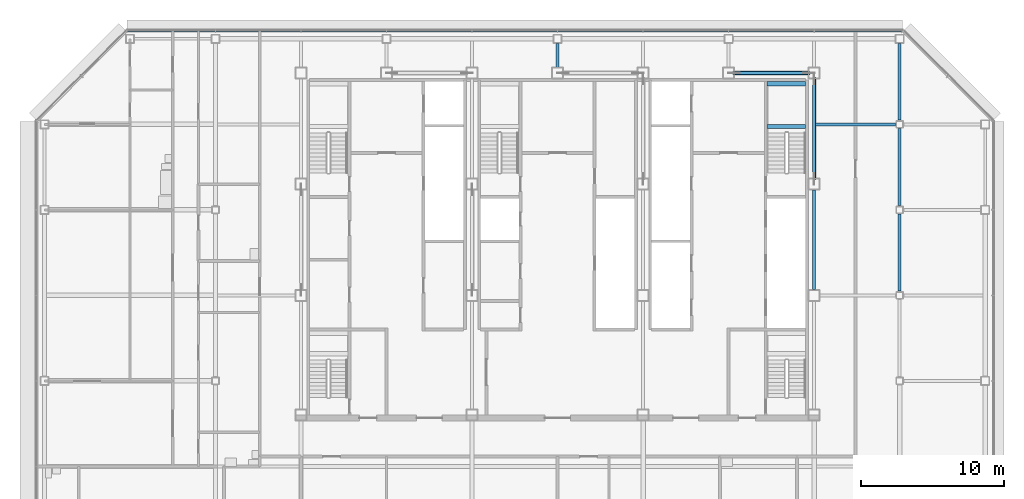
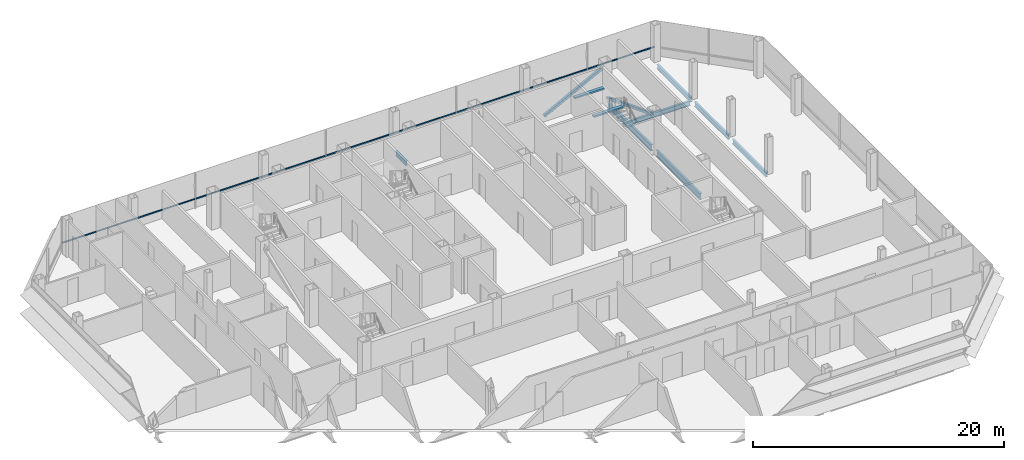
# One storey, part 15 of 27: 9 beams, 3 members, 1 element without a shape of its own.
"""IFC4 building model written with IfcOpenShell, lengths in metres."""

from ifc_helpers import new_model, si_unit, direction, frame, origin, origin_2d, place, context, subcontext, project, spatial, rectangle, hollow_rectangle, i_section, extrude, material, material_profile, profile_set, type_object, element, aggregate, save


model = new_model("IFC4")

# Units and contexts
model_context = context("Model", 3, precision=1e-05, world=origin(), true_north=direction((0.0, 1.0)))
body_context = subcontext(model_context, "Body", "Model", "MODEL_VIEW")
ifc_project = project(units=[si_unit("LENGTHUNIT", "METRE"), si_unit("AREAUNIT", "SQUARE_METRE"), si_unit("VOLUMEUNIT", "CUBIC_METRE"), si_unit("PLANEANGLEUNIT", "RADIAN"), si_unit("MASSUNIT", "GRAM", prefix="KILO")], contexts=[model_context])

# Site, building, storey
site_placement = place(None, origin())
site = spatial("IfcSite", under=ifc_project, at=site_placement, CompositionType="ELEMENT")
building_placement = place(site_placement, origin())
building = spatial("IfcBuilding", under=site, at=building_placement, Name="Sorahane Residences", CompositionType="ELEMENT")
storey_placement = place(building_placement, frame((0.0, 0.0, 246.800048828125)))
storey = spatial("IfcBuildingStorey", under=building, at=storey_placement, Name="L58", CompositionType="ELEMENT", Elevation=246.800048828125)

# Members
ifc_material_1 = material(Name="Steel Q355B", Category="steel")
ifc_material_profile_1 = material_profile(ifc_material_1, hollow_rectangle(XDim=0.25, YDim=0.25, WallThickness=0.013916015625, InnerFilletRadius=0.007080078125, OuterFilletRadius=0.02099609375, at=origin_2d()), Name="RHS 250x250x14")
ifc_profile_set_1 = profile_set([ifc_material_profile_1], Name="Steel Q355B")
member_type_1 = type_object("IfcMemberType", Name="Core brace RHS 250x250x14 Q355B", PredefinedType="BRACE", material=ifc_profile_set_1)
member_1_placement = place(storey_placement, frame((36.365234375, 45.60009765625, 0.106689453125), z_axis=(0.886099769192, 0.0, 0.46349455125), x_axis=(0.0, 1.0, 0.0)))
element("IfcMember", 1, at=member_1_placement, inside=storey, type_object=member_type_1, Name="Core brace L58 y45.6-6", PredefinedType="BRACE", context=body_context, shape_type="SweptSolid", body=[
    extrude(hollow_rectangle(XDim=0.25, YDim=0.25, WallThickness=0.013916015625, InnerFilletRadius=0.007080078125, OuterFilletRadius=0.02099609375, at=origin_2d()), origin(), (0.0, 0.0, 1.0), 5.94677734375),
])
member_2_placement = place(storey_placement, frame((42.0, 45.22705078125, 0.114501953125), z_axis=(0.0, -0.932108763247, 0.362178482902), x_axis=(1.0, 0.0, 0.0)))
element("IfcMember", 2, at=member_2_placement, inside=storey, type_object=member_type_1, Name="Core brace L58 x42-3", PredefinedType="BRACE", context=body_context, shape_type="SweptSolid", body=[
    extrude(hollow_rectangle(XDim=0.25, YDim=0.25, WallThickness=0.013916015625, InnerFilletRadius=0.007080078125, OuterFilletRadius=0.02099609375, at=origin_2d()), origin(), (0.0, 0.0, 1.0), 7.568115234375),
])

# Curtain wall, member
ifc_material_2 = material(Name="Dark low-e glass and black anodised aluminium", Category="aluminium")
curtain_wall_type = type_object("IfcCurtainWallType", Name="Curtain wall CW-1 Typical unitised wall", PredefinedType="NOTDEFINED", material=ifc_material_2)
curtain_wall_placement = place(storey_placement, origin())
curtain_wall = element("IfcCurtainWall", 3, at=curtain_wall_placement, inside=storey, type_object=curtain_wall_type, Name="CW-1 curtain wall L58 N1", PredefinedType="NOTDEFINED")
ifc_material_3 = material(Name="Black anodised aluminium", Category="aluminium")
ifc_material_profile_2 = material_profile(ifc_material_3, rectangle(XDim=0.10009765625, YDim=0.06005859375, at=origin_2d()), Name="Curtain wall transom CW-1 black anodised aluminium 60x100")
ifc_profile_set_2 = profile_set([ifc_material_profile_2], Name="Black anodised aluminium")
member_type_2 = type_object("IfcMemberType", Name="Curtain wall transom CW-1 black anodised aluminium 60x100", PredefinedType="USERDEFINED", material=ifc_profile_set_2)
member_3_placement = place(storey_placement, frame((48.198486328125, 48.530029296875, 0.89990234375), z_axis=(-1.0, 0.0, 0.0), x_axis=(0.0, -1.0, 0.0)))
member_3 = element("IfcMember", 4, at=member_3_placement, type_object=member_type_2, Name="CW-1 transom L58 N1", ObjectType="TRANSOM", PredefinedType="USERDEFINED", context=body_context, shape_type="SweptSolid", body=[
    extrude(rectangle(XDim=0.10009765625, YDim=0.06005859375, at=origin_2d()), origin(), (0.0, 0.0, 1.0), 54.39697265625),
])
aggregate(curtain_wall, [member_3])

# Beams
ifc_material_4 = material(Name="Concrete C40", Category="concrete")
ifc_material_profile_3 = material_profile(ifc_material_4, rectangle(XDim=0.300048828125, YDim=0.139892578125, at=origin_2d()), Name="300x140")
ifc_profile_set_3 = profile_set([ifc_material_profile_3], Name="Concrete C40")
beam_type_1 = type_object("IfcBeamType", Name="RC landing beam 300 x 140 Concrete C40", PredefinedType="BEAM", material=ifc_profile_set_3)
for number, where, z_axis, x_axis, name in (
    (5, (38.699951171875, 41.85009765625, 1.530029296875), (1.0, 0.0, 0.0), (0.0, 1.0, 0.0), "Landing beam"),
    (6, (38.699951171875, 44.85009765625, 1.530029296875), (1.0, 0.0, 0.0), (0.0, 1.0, 0.0), "Landing beam"),
):
    element("IfcBeam", number, at=place(storey_placement, frame(where, z_axis=z_axis, x_axis=x_axis)), inside=storey, type_object=beam_type_1, Name=name, PredefinedType="BEAM", context=body_context, shape_type="SweptSolid", body=[
        extrude(rectangle(XDim=0.300048828125, YDim=0.139892578125, at=origin_2d()), origin(), (0.0, 0.0, 1.0), 2.699951171875),
    ])
ifc_material_5 = material(Name="Steel Q355B", Category="steel")
ifc_material_profile_4 = material_profile(ifc_material_5, i_section(OverallWidth=0.199951171875, OverallDepth=0.449951171875, WebThickness=0.009033203125, FlangeThickness=0.013916015625, FilletRadius=0.02001953125, at=origin_2d()), Name="HN 450x200x9x14")
ifc_profile_set_4 = profile_set([ifc_material_profile_4], Name="Steel Q355B")
beam_type_2 = type_object("IfcBeamType", Name="Steel floor beam HN 450x200x9x14 Q355B", PredefinedType="BEAM", material=ifc_profile_set_4)
beam_1_placement = place(storey_placement, frame((24.0, 46.0, -0.405029296875), z_axis=(0.0, 1.0, 0.0), x_axis=(-1.0, 0.0, 0.0)))
element("IfcBeam", 7, at=beam_1_placement, inside=storey, type_object=beam_type_2, Name="Beam L58 043", PredefinedType="BEAM", context=body_context, shape_type="SweptSolid", body=[
    extrude(i_section(OverallWidth=0.199951171875, OverallDepth=0.449951171875, WebThickness=0.009033203125, FlangeThickness=0.013916015625, FilletRadius=0.02001953125, at=origin_2d()), origin(), (0.0, 0.0, 1.0), 1.675048828125),
])
for number, where, z_axis, x_axis, name in (
    (8, (48.0, 30.300048828125, -0.405029296875), (0.0, 1.0, 0.0), (-1.0, 0.0, 0.0), "Beam L58 061"),
    (9, (48.0, 36.300048828125, -0.405029296875), (0.0, 1.0, 0.0), (-1.0, 0.0, 0.0), "Beam L58 062"),
):
    element("IfcBeam", number, at=place(storey_placement, frame(where, z_axis=z_axis, x_axis=x_axis)), inside=storey, type_object=beam_type_2, Name=name, PredefinedType="BEAM", context=body_context, shape_type="SweptSolid", body=[
        extrude(i_section(OverallWidth=0.199951171875, OverallDepth=0.449951171875, WebThickness=0.009033203125, FlangeThickness=0.013916015625, FilletRadius=0.02001953125, at=origin_2d()), origin(), (0.0, 0.0, 1.0), 5.39990234375),
    ])
beam_2_placement = place(storey_placement, frame((48.0, 42.300048828125, -0.405029296875), z_axis=(0.0, 1.0, 0.0), x_axis=(-1.0, 0.0, 0.0)))
element("IfcBeam", 10, at=beam_2_placement, inside=storey, type_object=beam_type_2, Name="Beam L58 063", PredefinedType="BEAM", context=body_context, shape_type="SweptSolid", body=[
    extrude(i_section(OverallWidth=0.199951171875, OverallDepth=0.449951171875, WebThickness=0.009033203125, FlangeThickness=0.013916015625, FilletRadius=0.02001953125, at=origin_2d()), origin(), (0.0, 0.0, 1.0), 5.375),
])
beam_3_placement = place(storey_placement, frame((42.10009765625, 42.0, -0.405029296875), z_axis=(1.0, 0.0, 0.0), x_axis=(0.0, 1.0, 0.0)))
element("IfcBeam", 11, at=beam_3_placement, inside=storey, type_object=beam_type_2, Name="Beam L58 091", PredefinedType="BEAM", context=body_context, shape_type="SweptSolid", body=[
    extrude(i_section(OverallWidth=0.199951171875, OverallDepth=0.449951171875, WebThickness=0.009033203125, FlangeThickness=0.013916015625, FilletRadius=0.02001953125, at=origin_2d()), origin(), (0.0, 0.0, 1.0), 5.599853515625),
])
ifc_material_6 = material(Name="Steel Q355B", Category="steel")
ifc_material_profile_5 = material_profile(ifc_material_6, i_section(OverallWidth=0.199951171875, OverallDepth=0.60009765625, WebThickness=0.010986328125, FlangeThickness=0.01708984375, FilletRadius=0.02392578125, at=origin_2d()), Name="HN 600x200x11x17")
ifc_profile_set_5 = profile_set([ifc_material_profile_5], Name="Steel Q355B")
beam_type_3 = type_object("IfcBeamType", Name="Steel floor beam HN 600x200x11x17 Q355B", PredefinedType="BEAM", material=ifc_profile_set_5)
for number, where, z_axis, x_axis, name in (
    (12, (42.0, 30.39990234375, -0.47998046875), (0.0, 1.0, 0.0), (-1.0, 0.0, 0.0), "Beam L58 055"),
    (13, (42.0, 38.199951171875, -0.47998046875), (0.0, 1.0, 0.0), (-1.0, 0.0, 0.0), "Beam L58 056"),
):
    element("IfcBeam", number, at=place(storey_placement, frame(where, z_axis=z_axis, x_axis=x_axis)), inside=storey, type_object=beam_type_3, Name=name, PredefinedType="BEAM", context=body_context, shape_type="SweptSolid", body=[
        extrude(i_section(OverallWidth=0.199951171875, OverallDepth=0.60009765625, WebThickness=0.010986328125, FlangeThickness=0.01708984375, FilletRadius=0.02392578125, at=origin_2d()), origin(), (0.0, 0.0, 1.0), 7.0),
    ])

save(model, "model.ifc")
